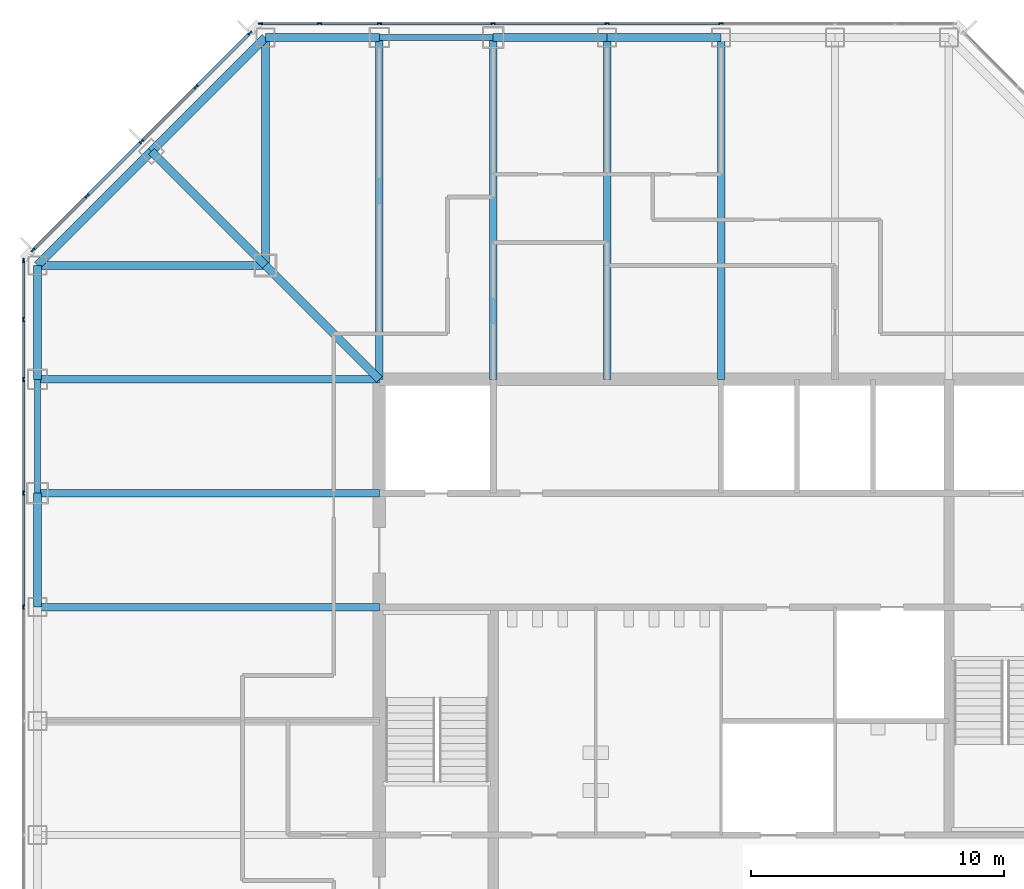
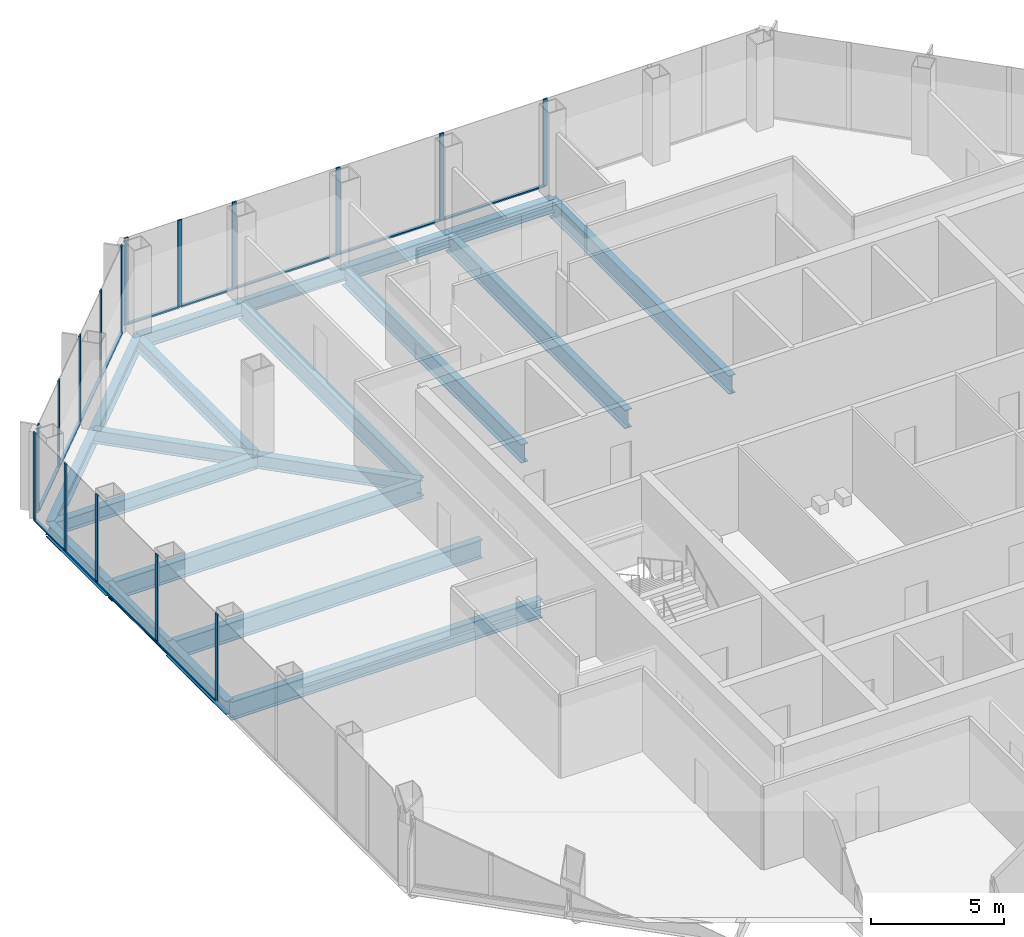
# One storey, part 5 of 13: 29 members, 20 beams, 3 elements without a shape of their own.
"""IFC4 building model written with IfcOpenShell, lengths in metres."""

from ifc_helpers import new_model, si_unit, direction, frame, origin, origin_2d, place, context, subcontext, project, spatial, rectangle, i_section, extrude, material, material_profile, profile_set, type_object, element, aggregate, save


model = new_model("IFC4")

# Units and contexts
model_context = context("Model", 3, precision=1e-05, world=origin(), true_north=direction((0.0, 1.0)))
body_context = subcontext(model_context, "Body", "Model", "MODEL_VIEW")
ifc_project = project(units=[si_unit("LENGTHUNIT", "METRE"), si_unit("AREAUNIT", "SQUARE_METRE"), si_unit("VOLUMEUNIT", "CUBIC_METRE"), si_unit("PLANEANGLEUNIT", "RADIAN"), si_unit("MASSUNIT", "GRAM", prefix="KILO")], contexts=[model_context])

# Site, building, storey
site_placement = place(None, origin())
site = spatial("IfcSite", under=ifc_project, at=site_placement, CompositionType="ELEMENT")
building_placement = place(site_placement, origin())
building = spatial("IfcBuilding", under=site, at=building_placement, Name="Corais Broadcast Tower", CompositionType="ELEMENT")
storey_placement = place(building_placement, frame((0.0, 0.0, 123.60009765625)))
storey = spatial("IfcBuildingStorey", under=building, at=storey_placement, Name="L27", CompositionType="ELEMENT", Elevation=123.60009765625)

# Beams
ifc_material_1 = material(Name="Steel ASTM A572 Grade 50", Category="steel")
ifc_material_profile_1 = material_profile(ifc_material_1, i_section(OverallWidth=0.323974609375, OverallDepth=0.611083984375, WebThickness=0.0126953125, FlangeThickness=0.01904296875, at=origin_2d()), Name="W610x155")
ifc_profile_set_1 = profile_set([ifc_material_profile_1], Name="Steel ASTM A572 Grade 50")
beam_type_1 = type_object("IfcBeamType", Name="Chamfer tie W610x155", PredefinedType="BEAM", material=ifc_profile_set_1)
beam_1_placement = place(storey_placement, frame((4.5, 49.5, -0.465576171875), z_axis=(0.707106781187, -0.707106781187, 0.0), x_axis=(0.707106781187, 0.707106781187, 0.0)))
element("IfcBeam", 1, at=beam_1_placement, inside=storey, type_object=beam_type_1, Name="B5 M/4 to L/5", PredefinedType="BEAM", context=body_context, shape_type="SweptSolid", body=[
    extrude(i_section(OverallWidth=0.323974609375, OverallDepth=0.611083984375, WebThickness=0.0126953125, FlangeThickness=0.01904296875, at=origin_2d()), origin(), (0.0, 0.0, 1.0), 6.364013671875),
])
ifc_material_2 = material(Name="Steel ASTM A572 Grade 50", Category="steel")
ifc_material_profile_2 = material_profile(ifc_material_2, i_section(OverallWidth=0.323974609375, OverallDepth=0.611083984375, WebThickness=0.0126953125, FlangeThickness=0.01904296875, at=origin_2d()), Name="W610x155")
ifc_profile_set_2 = profile_set([ifc_material_profile_2], Name="Steel ASTM A572 Grade 50")
beam_type_2 = type_object("IfcBeamType", Name="Corner diagonal W610x155", PredefinedType="BEAM", material=ifc_profile_set_2)
beam_2_placement = place(storey_placement, frame((9.0, 45.0, -0.465576171875), z_axis=(0.707106781187, -0.707106781187, 0.0), x_axis=(0.707106781187, 0.707106781187, 0.0)))
element("IfcBeam", 2, at=beam_2_placement, inside=storey, type_object=beam_type_2, Name="B6 L/5 to K/6", PredefinedType="BEAM", context=body_context, shape_type="SweptSolid", body=[
    extrude(i_section(OverallWidth=0.323974609375, OverallDepth=0.611083984375, WebThickness=0.0126953125, FlangeThickness=0.01904296875, at=origin_2d()), origin(), (0.0, 0.0, 1.0), 6.364013671875),
])
ifc_material_3 = material(Name="Steel ASTM A572 Grade 50", Category="steel")
ifc_material_profile_3 = material_profile(ifc_material_3, i_section(OverallWidth=0.323974609375, OverallDepth=0.611083984375, WebThickness=0.0126953125, FlangeThickness=0.01904296875, at=origin_2d()), Name="W610x155")
ifc_profile_set_3 = profile_set([ifc_material_profile_3], Name="Steel ASTM A572 Grade 50")
beam_type_3 = type_object("IfcBeamType", Name="Corner girder W610x155", PredefinedType="BEAM", material=ifc_profile_set_3)
for number, where, z_axis, x_axis, name in (
    (3, (0.0, 45.0, -0.465576171875), (1.0, 0.0, 0.0), (0.0, 1.0, 0.0), "B4 L/3 to L/5"),
    (4, (9.0, 54.0, -0.465576171875), (0.0, -1.0, 0.0), (1.0, 0.0, 0.0), "B4 N/5 to L/5"),
):
    element("IfcBeam", number, at=place(storey_placement, frame(where, z_axis=z_axis, x_axis=x_axis)), inside=storey, type_object=beam_type_3, Name=name, PredefinedType="BEAM", context=body_context, shape_type="SweptSolid", body=[
        extrude(i_section(OverallWidth=0.323974609375, OverallDepth=0.611083984375, WebThickness=0.0126953125, FlangeThickness=0.01904296875, at=origin_2d()), origin(), (0.0, 0.0, 1.0), 9.0),
    ])
ifc_material_4 = material(Name="Steel ASTM A572 Grade 50", Category="steel")
ifc_material_profile_4 = material_profile(ifc_material_4, i_section(OverallWidth=0.2939453125, OverallDepth=0.85107421875, WebThickness=0.01611328125, FlangeThickness=0.02685546875, at=origin_2d()), Name="W840x226")
ifc_profile_set_4 = profile_set([ifc_material_profile_4], Name="Steel ASTM A572 Grade 50")
beam_type_4 = type_object("IfcBeamType", Name="Floor beam W840x226", PredefinedType="BEAM", material=ifc_profile_set_4)
for number, where, z_axis, x_axis, name in (
    (5, (0.0, 31.5, -0.585693359375), (1.0, 0.0, 0.0), (0.0, 1.0, 0.0), "B1 H/3 to H/6"),
    (6, (0.0, 36.0, -0.585693359375), (1.0, 0.0, 0.0), (0.0, 1.0, 0.0), "B1 J/3 to J/6"),
    (7, (0.0, 40.5, -0.585693359375), (1.0, 0.0, 0.0), (0.0, 1.0, 0.0), "B1 K/3 to K/6"),
    (8, (13.5, 54.0, -0.585693359375), (0.0, -1.0, 0.0), (1.0, 0.0, 0.0), "B1 N/6 to K/6"),
    (9, (18.0, 54.0, -0.585693359375), (0.0, -1.0, 0.0), (1.0, 0.0, 0.0), "B1 N/7 to K/7"),
    (10, (22.5, 54.0, -0.585693359375), (0.0, -1.0, 0.0), (1.0, 0.0, 0.0), "B1 N/8 to K/8"),
    (11, (27.0, 54.0, -0.585693359375), (0.0, -1.0, 0.0), (1.0, 0.0, 0.0), "B1 N/9 to K/9"),
):
    element("IfcBeam", number, at=place(storey_placement, frame(where, z_axis=z_axis, x_axis=x_axis)), inside=storey, type_object=beam_type_4, Name=name, PredefinedType="BEAM", context=body_context, shape_type="SweptSolid", body=[
        extrude(i_section(OverallWidth=0.2939453125, OverallDepth=0.85107421875, WebThickness=0.01611328125, FlangeThickness=0.02685546875, at=origin_2d()), origin(), (0.0, 0.0, 1.0), 13.5),
    ])

# Curtain wall, members
ifc_material_5 = material(Name="Aluminium and glass", Category="aluminium")
curtain_wall_type = type_object("IfcCurtainWallType", Name="Unitised fritted curtain wall CW2", PredefinedType="NOTDEFINED", material=ifc_material_5)
curtain_wall_1_placement = place(storey_placement, origin())
curtain_wall_1 = element("IfcCurtainWall", 12, at=curtain_wall_1_placement, inside=storey, type_object=curtain_wall_type, Name="CW2 curtain wall L27 2", PredefinedType="NOTDEFINED")
ifc_material_6 = material(Name="Aluminium 6063-T6", Category="aluminium")
ifc_material_profile_5 = material_profile(ifc_material_6, rectangle(XDim=0.06494140625, YDim=0.179931640625, at=origin_2d()), Name="Mullion CW2 65x180")
ifc_profile_set_5 = profile_set([ifc_material_profile_5], Name="Aluminium 6063-T6")
member_type_1 = type_object("IfcMemberType", Name="Mullion CW2 65x180", PredefinedType="MULLION", material=ifc_profile_set_5)
member_1_placement = place(storey_placement, frame((-0.550048828125, 31.5, 0.0), z_axis=(0.0, 0.0, 1.0), x_axis=(-1.0, 0.0, 0.0)))
member_1 = element("IfcMember", 13, at=member_1_placement, type_object=member_type_1, Name="CW2 mullion 5", PredefinedType="MULLION", context=body_context, shape_type="SweptSolid", body=[
    extrude(rectangle(XDim=0.06494140625, YDim=0.179931640625, at=origin_2d()), origin(), (0.0, 0.0, 1.0), 4.0),
])
member_2_placement = place(storey_placement, frame((-0.550048828125, 36.0, 0.0), z_axis=(0.0, 0.0, 1.0), x_axis=(-1.0, 0.0, 0.0)))
member_2 = element("IfcMember", 14, at=member_2_placement, type_object=member_type_1, Name="CW2 mullion 6", PredefinedType="MULLION", context=body_context, shape_type="SweptSolid", body=[
    extrude(rectangle(XDim=0.06494140625, YDim=0.179931640625, at=origin_2d()), origin(), (0.0, 0.0, 1.0), 4.0),
])
member_3_placement = place(storey_placement, frame((-0.550048828125, 40.5, 0.0), z_axis=(0.0, 0.0, 1.0), x_axis=(-1.0, 0.0, 0.0)))
member_3 = element("IfcMember", 15, at=member_3_placement, type_object=member_type_1, Name="CW2 mullion 7", PredefinedType="MULLION", context=body_context, shape_type="SweptSolid", body=[
    extrude(rectangle(XDim=0.06494140625, YDim=0.179931640625, at=origin_2d()), origin(), (0.0, 0.0, 1.0), 4.0),
])
member_4_placement = place(storey_placement, frame((-0.550048828125, 42.864013671875, 0.0), z_axis=(0.0, 0.0, 1.0), x_axis=(-1.0, 0.0, 0.0)))
member_4 = element("IfcMember", 16, at=member_4_placement, type_object=member_type_1, Name="CW2 mullion 8", PredefinedType="MULLION", context=body_context, shape_type="SweptSolid", body=[
    extrude(rectangle(XDim=0.06494140625, YDim=0.179931640625, at=origin_2d()), origin(), (0.0, 0.0, 1.0), 4.0),
])
member_5_placement = place(storey_placement, frame((-0.550048828125, 45.1953125, 0.0), z_axis=(0.0, 0.0, 1.0), x_axis=(-1.0, 0.0, 0.0)))
member_5 = element("IfcMember", 17, at=member_5_placement, type_object=member_type_1, Name="CW2 mullion 9", PredefinedType="MULLION", context=body_context, shape_type="SweptSolid", body=[
    extrude(rectangle(XDim=0.06494140625, YDim=0.179931640625, at=origin_2d()), origin(), (0.0, 0.0, 1.0), 4.0),
])

curtain_wall_2_placement = place(storey_placement, origin())
curtain_wall_2 = element("IfcCurtainWall", 18, at=curtain_wall_2_placement, inside=storey, type_object=curtain_wall_type, Name="CW2 curtain wall L27 3", PredefinedType="NOTDEFINED")
member_6_placement = place(storey_placement, frame((-0.17333984375, 45.6044921875, 0.0), z_axis=(0.0, 0.0, 1.0), x_axis=(-0.707106781187, 0.707106781187, 0.0)))
member_6 = element("IfcMember", 19, at=member_6_placement, type_object=member_type_1, Name="CW2 mullion 1", PredefinedType="MULLION", context=body_context, shape_type="SweptSolid", body=[
    extrude(rectangle(XDim=0.06494140625, YDim=0.179931640625, at=origin_2d()), origin(), (0.0, 0.0, 1.0), 4.0),
])
member_7_placement = place(storey_placement, frame((1.957275390625, 47.735107421875, 0.0), z_axis=(0.0, 0.0, 1.0), x_axis=(-0.707106781187, 0.707106781187, 0.0)))
member_7 = element("IfcMember", 20, at=member_7_placement, type_object=member_type_1, Name="CW2 mullion 2", PredefinedType="MULLION", context=body_context, shape_type="SweptSolid", body=[
    extrude(rectangle(XDim=0.06494140625, YDim=0.179931640625, at=origin_2d()), origin(), (0.0, 0.0, 1.0), 4.0),
])
member_8_placement = place(storey_placement, frame((4.111083984375, 49.888916015625, 0.0), z_axis=(0.0, 0.0, 1.0), x_axis=(-0.707106781187, 0.707106781187, 0.0)))
member_8 = element("IfcMember", 21, at=member_8_placement, type_object=member_type_1, Name="CW2 mullion 3", PredefinedType="MULLION", context=body_context, shape_type="SweptSolid", body=[
    extrude(rectangle(XDim=0.06494140625, YDim=0.179931640625, at=origin_2d()), origin(), (0.0, 0.0, 1.0), 4.0),
])
member_9_placement = place(storey_placement, frame((6.264892578125, 52.042724609375, 0.0), z_axis=(0.0, 0.0, 1.0), x_axis=(-0.707106781187, 0.707106781187, 0.0)))
member_9 = element("IfcMember", 22, at=member_9_placement, type_object=member_type_1, Name="CW2 mullion 4", PredefinedType="MULLION", context=body_context, shape_type="SweptSolid", body=[
    extrude(rectangle(XDim=0.06494140625, YDim=0.179931640625, at=origin_2d()), origin(), (0.0, 0.0, 1.0), 4.0),
])
member_10_placement = place(storey_placement, frame((8.3955078125, 54.17333984375, 0.0), z_axis=(0.0, 0.0, 1.0), x_axis=(-0.707106781187, 0.707106781187, 0.0)))
member_10 = element("IfcMember", 23, at=member_10_placement, type_object=member_type_1, Name="CW2 mullion 5", PredefinedType="MULLION", context=body_context, shape_type="SweptSolid", body=[
    extrude(rectangle(XDim=0.06494140625, YDim=0.179931640625, at=origin_2d()), origin(), (0.0, 0.0, 1.0), 4.0),
])

curtain_wall_3_placement = place(storey_placement, origin())
curtain_wall_3 = element("IfcCurtainWall", 24, at=curtain_wall_3_placement, inside=storey, type_object=curtain_wall_type, Name="CW2 curtain wall L27 4", PredefinedType="NOTDEFINED")
member_11_placement = place(storey_placement, frame((8.8046875, 54.550048828125, 0.0), z_axis=(0.0, 0.0, 1.0), x_axis=(0.0, 1.0, 0.0)))
member_11 = element("IfcMember", 25, at=member_11_placement, type_object=member_type_1, Name="CW2 mullion 1", PredefinedType="MULLION", context=body_context, shape_type="SweptSolid", body=[
    extrude(rectangle(XDim=0.06494140625, YDim=0.179931640625, at=origin_2d()), origin(), (0.0, 0.0, 1.0), 4.0),
])
member_12_placement = place(storey_placement, frame((11.135986328125, 54.550048828125, 0.0), z_axis=(0.0, 0.0, 1.0), x_axis=(0.0, 1.0, 0.0)))
member_12 = element("IfcMember", 26, at=member_12_placement, type_object=member_type_1, Name="CW2 mullion 2", PredefinedType="MULLION", context=body_context, shape_type="SweptSolid", body=[
    extrude(rectangle(XDim=0.06494140625, YDim=0.179931640625, at=origin_2d()), origin(), (0.0, 0.0, 1.0), 4.0),
])
member_13_placement = place(storey_placement, frame((13.5, 54.550048828125, 0.0), z_axis=(0.0, 0.0, 1.0), x_axis=(0.0, 1.0, 0.0)))
member_13 = element("IfcMember", 27, at=member_13_placement, type_object=member_type_1, Name="CW2 mullion 3", PredefinedType="MULLION", context=body_context, shape_type="SweptSolid", body=[
    extrude(rectangle(XDim=0.06494140625, YDim=0.179931640625, at=origin_2d()), origin(), (0.0, 0.0, 1.0), 4.0),
])
member_14_placement = place(storey_placement, frame((18.0, 54.550048828125, 0.0), z_axis=(0.0, 0.0, 1.0), x_axis=(0.0, 1.0, 0.0)))
member_14 = element("IfcMember", 28, at=member_14_placement, type_object=member_type_1, Name="CW2 mullion 4", PredefinedType="MULLION", context=body_context, shape_type="SweptSolid", body=[
    extrude(rectangle(XDim=0.06494140625, YDim=0.179931640625, at=origin_2d()), origin(), (0.0, 0.0, 1.0), 4.0),
])
member_15_placement = place(storey_placement, frame((22.5, 54.550048828125, 0.0), z_axis=(0.0, 0.0, 1.0), x_axis=(0.0, 1.0, 0.0)))
member_15 = element("IfcMember", 29, at=member_15_placement, type_object=member_type_1, Name="CW2 mullion 5", PredefinedType="MULLION", context=body_context, shape_type="SweptSolid", body=[
    extrude(rectangle(XDim=0.06494140625, YDim=0.179931640625, at=origin_2d()), origin(), (0.0, 0.0, 1.0), 4.0),
])
member_16_placement = place(storey_placement, frame((27.0, 54.550048828125, 0.0), z_axis=(0.0, 0.0, 1.0), x_axis=(0.0, 1.0, 0.0)))
member_16 = element("IfcMember", 30, at=member_16_placement, type_object=member_type_1, Name="CW2 mullion 6", PredefinedType="MULLION", context=body_context, shape_type="SweptSolid", body=[
    extrude(rectangle(XDim=0.06494140625, YDim=0.179931640625, at=origin_2d()), origin(), (0.0, 0.0, 1.0), 4.0),
])

# Beams
ifc_material_7 = material(Name="Steel ASTM A572 Grade 50", Category="steel")
ifc_material_profile_6 = material_profile(ifc_material_7, i_section(OverallWidth=0.22900390625, OverallDepth=0.612060546875, WebThickness=0.011962890625, FlangeThickness=0.01953125, at=origin_2d()), Name="W610x125")
ifc_profile_set_6 = profile_set([ifc_material_profile_6], Name="Steel ASTM A572 Grade 50")
beam_type_5 = type_object("IfcBeamType", Name="Pinned spandrel W610x125", PredefinedType="BEAM", material=ifc_profile_set_6)
for number, where, z_axis, x_axis, name in (
    (31, (0.0, 40.5, -0.466064453125), (0.0, -1.0, 0.0), (1.0, 0.0, 0.0), "SB7 K/3 to J/3"),
    (32, (18.0, 54.0, -0.466064453125), (-1.0, 0.0, 0.0), (0.0, -1.0, 0.0), "SB7 N/7 to N/6"),
):
    element("IfcBeam", number, at=place(storey_placement, frame(where, z_axis=z_axis, x_axis=x_axis)), inside=storey, type_object=beam_type_5, Name=name, PredefinedType="BEAM", context=body_context, shape_type="SweptSolid", body=[
        extrude(i_section(OverallWidth=0.22900390625, OverallDepth=0.612060546875, WebThickness=0.011962890625, FlangeThickness=0.01953125, at=origin_2d()), origin(), (0.0, 0.0, 1.0), 4.5),
    ])
ifc_material_8 = material(Name="Steel ASTM A572 Grade 50", Category="steel")
ifc_material_profile_7 = material_profile(ifc_material_8, i_section(OverallWidth=0.3291015625, OverallDepth=0.635009765625, WebThickness=0.017822265625, FlangeThickness=0.031005859375, at=origin_2d()), Name="W610x241")
ifc_profile_set_7 = profile_set([ifc_material_profile_7], Name="Steel ASTM A572 Grade 50")
beam_type_6 = type_object("IfcBeamType", Name="Spandrel W610x241", PredefinedType="BEAM", material=ifc_profile_set_7)
for number, where, z_axis, x_axis, name in (
    (33, (0.0, 36.0, -0.4775390625), (0.0, -1.0, 0.0), (1.0, 0.0, 0.0), "SB1 J/3 to H/3"),
    (34, (0.0, 45.0, -0.4775390625), (0.0, -1.0, 0.0), (1.0, 0.0, 0.0), "SB1 L/3 to K/3"),
    (35, (13.5, 54.0, -0.4775390625), (-1.0, 0.0, 0.0), (0.0, -1.0, 0.0), "SB1 N/6 to N/5"),
    (36, (22.5, 54.0, -0.4775390625), (-1.0, 0.0, 0.0), (0.0, -1.0, 0.0), "SB1 N/8 to N/7"),
    (37, (27.0, 54.0, -0.4775390625), (-1.0, 0.0, 0.0), (0.0, -1.0, 0.0), "SB1 N/9 to N/8"),
):
    element("IfcBeam", number, at=place(storey_placement, frame(where, z_axis=z_axis, x_axis=x_axis)), inside=storey, type_object=beam_type_6, Name=name, PredefinedType="BEAM", context=body_context, shape_type="SweptSolid", body=[
        extrude(i_section(OverallWidth=0.3291015625, OverallDepth=0.635009765625, WebThickness=0.017822265625, FlangeThickness=0.031005859375, at=origin_2d()), origin(), (0.0, 0.0, 1.0), 4.5),
    ])
for number, where, z_axis, x_axis, name in (
    (38, (4.5, 49.5, -0.4775390625), (-0.707106781187, -0.707106781187, 0.0), (0.707106781187, -0.707106781187, 0.0), "SB1 M/4 to L/3"),
    (39, (9.0, 54.0, -0.4775390625), (-0.707106781187, -0.707106781187, 0.0), (0.707106781187, -0.707106781187, 0.0), "SB1 N/5 to M/4"),
):
    element("IfcBeam", number, at=place(storey_placement, frame(where, z_axis=z_axis, x_axis=x_axis)), inside=storey, type_object=beam_type_6, Name=name, PredefinedType="BEAM", context=body_context, shape_type="SweptSolid", body=[
        extrude(i_section(OverallWidth=0.3291015625, OverallDepth=0.635009765625, WebThickness=0.017822265625, FlangeThickness=0.031005859375, at=origin_2d()), origin(), (0.0, 0.0, 1.0), 6.364013671875),
    ])

# Member
ifc_material_9 = material(Name="Aluminium 6063-T6", Category="aluminium")
ifc_material_profile_8 = material_profile(ifc_material_9, rectangle(XDim=0.1298828125, YDim=0.06494140625, at=origin_2d()), Name="Transom CW2 65x130")
ifc_profile_set_8 = profile_set([ifc_material_profile_8], Name="Aluminium 6063-T6")
member_type_2 = type_object("IfcMemberType", Name="Transom CW2 65x130", PredefinedType="USERDEFINED", material=ifc_profile_set_8)
member_17_placement = place(storey_placement, frame((-0.550048828125, 31.532470703125, 0.032470703125), z_axis=(0.0, 1.0, 0.0), x_axis=(-1.0, 0.0, 0.0)))
member_17 = element("IfcMember", 40, at=member_17_placement, type_object=member_type_2, Name="CW2 transom 5.1", ObjectType="TRANSOM", PredefinedType="USERDEFINED", context=body_context, shape_type="SweptSolid", body=[
    extrude(rectangle(XDim=0.1298828125, YDim=0.06494140625, at=origin_2d()), origin(), (0.0, 0.0, 1.0), 4.43505859375),
])

member_18_placement = place(storey_placement, frame((-0.550048828125, 36.032470703125, 0.032470703125), z_axis=(0.0, 1.0, 0.0), x_axis=(-1.0, 0.0, 0.0)))
member_18 = element("IfcMember", 41, at=member_18_placement, type_object=member_type_2, Name="CW2 transom 6.1", ObjectType="TRANSOM", PredefinedType="USERDEFINED", context=body_context, shape_type="SweptSolid", body=[
    extrude(rectangle(XDim=0.1298828125, YDim=0.06494140625, at=origin_2d()), origin(), (0.0, 0.0, 1.0), 4.43505859375),
])

member_19_placement = place(storey_placement, frame((-0.550048828125, 40.532470703125, 0.032470703125), z_axis=(0.0, 1.0, 0.0), x_axis=(-1.0, 0.0, 0.0)))
member_19 = element("IfcMember", 42, at=member_19_placement, type_object=member_type_2, Name="CW2 transom 7.1", ObjectType="TRANSOM", PredefinedType="USERDEFINED", context=body_context, shape_type="SweptSolid", body=[
    extrude(rectangle(XDim=0.1298828125, YDim=0.06494140625, at=origin_2d()), origin(), (0.0, 0.0, 1.0), 2.298828125),
])

member_20_placement = place(storey_placement, frame((-0.550048828125, 42.896484375, 0.032470703125), z_axis=(0.0, 1.0, 0.0), x_axis=(-1.0, 0.0, 0.0)))
member_20 = element("IfcMember", 43, at=member_20_placement, type_object=member_type_2, Name="CW2 transom 8.1", ObjectType="TRANSOM", PredefinedType="USERDEFINED", context=body_context, shape_type="SweptSolid", body=[
    extrude(rectangle(XDim=0.1298828125, YDim=0.06494140625, at=origin_2d()), origin(), (0.0, 0.0, 1.0), 2.266357421875),
])

aggregate(curtain_wall_1, [member_1, member_2, member_3, member_4, member_5, member_17, member_18, member_19, member_20])

member_21_placement = place(storey_placement, frame((-0.150390625, 45.62744140625, 0.032470703125), z_axis=(0.707106781187, 0.707106781187, 0.0), x_axis=(-0.707106781187, 0.707106781187, 0.0)))
member_21 = element("IfcMember", 44, at=member_21_placement, type_object=member_type_2, Name="CW2 transom 1.1", ObjectType="TRANSOM", PredefinedType="USERDEFINED", context=body_context, shape_type="SweptSolid", body=[
    extrude(rectangle(XDim=0.1298828125, YDim=0.06494140625, at=origin_2d()), origin(), (0.0, 0.0, 1.0), 2.9482421875),
])

member_22_placement = place(storey_placement, frame((1.980224609375, 47.758056640625, 0.032470703125), z_axis=(0.707106781187, 0.707106781187, 0.0), x_axis=(-0.707106781187, 0.707106781187, 0.0)))
member_22 = element("IfcMember", 45, at=member_22_placement, type_object=member_type_2, Name="CW2 transom 2.1", ObjectType="TRANSOM", PredefinedType="USERDEFINED", context=body_context, shape_type="SweptSolid", body=[
    extrude(rectangle(XDim=0.1298828125, YDim=0.06494140625, at=origin_2d()), origin(), (0.0, 0.0, 1.0), 2.98095703125),
])

member_23_placement = place(storey_placement, frame((4.134033203125, 49.911865234375, 0.032470703125), z_axis=(0.707106781187, 0.707106781187, 0.0), x_axis=(-0.707106781187, 0.707106781187, 0.0)))
member_23 = element("IfcMember", 46, at=member_23_placement, type_object=member_type_2, Name="CW2 transom 3.1", ObjectType="TRANSOM", PredefinedType="USERDEFINED", context=body_context, shape_type="SweptSolid", body=[
    extrude(rectangle(XDim=0.1298828125, YDim=0.06494140625, at=origin_2d()), origin(), (0.0, 0.0, 1.0), 2.98095703125),
])

member_24_placement = place(storey_placement, frame((6.287841796875, 52.065673828125, 0.032470703125), z_axis=(0.707106781187, 0.707106781187, 0.0), x_axis=(-0.707106781187, 0.707106781187, 0.0)))
member_24 = element("IfcMember", 47, at=member_24_placement, type_object=member_type_2, Name="CW2 transom 4.1", ObjectType="TRANSOM", PredefinedType="USERDEFINED", context=body_context, shape_type="SweptSolid", body=[
    extrude(rectangle(XDim=0.1298828125, YDim=0.06494140625, at=origin_2d()), origin(), (0.0, 0.0, 1.0), 2.9482421875),
])

aggregate(curtain_wall_2, [member_6, member_7, member_8, member_9, member_10, member_21, member_22, member_23, member_24])

member_25_placement = place(storey_placement, frame((8.837158203125, 54.550048828125, 0.032470703125), z_axis=(1.0, 0.0, 0.0), x_axis=(0.0, 1.0, 0.0)))
member_25 = element("IfcMember", 48, at=member_25_placement, type_object=member_type_2, Name="CW2 transom 1.1", ObjectType="TRANSOM", PredefinedType="USERDEFINED", context=body_context, shape_type="SweptSolid", body=[
    extrude(rectangle(XDim=0.1298828125, YDim=0.06494140625, at=origin_2d()), origin(), (0.0, 0.0, 1.0), 2.266357421875),
])

member_26_placement = place(storey_placement, frame((11.168701171875, 54.550048828125, 0.032470703125), z_axis=(1.0, 0.0, 0.0), x_axis=(0.0, 1.0, 0.0)))
member_26 = element("IfcMember", 49, at=member_26_placement, type_object=member_type_2, Name="CW2 transom 2.1", ObjectType="TRANSOM", PredefinedType="USERDEFINED", context=body_context, shape_type="SweptSolid", body=[
    extrude(rectangle(XDim=0.1298828125, YDim=0.06494140625, at=origin_2d()), origin(), (0.0, 0.0, 1.0), 2.298828125),
])

member_27_placement = place(storey_placement, frame((13.532470703125, 54.550048828125, 0.032470703125), z_axis=(1.0, 0.0, 0.0), x_axis=(0.0, 1.0, 0.0)))
member_27 = element("IfcMember", 50, at=member_27_placement, type_object=member_type_2, Name="CW2 transom 3.1", ObjectType="TRANSOM", PredefinedType="USERDEFINED", context=body_context, shape_type="SweptSolid", body=[
    extrude(rectangle(XDim=0.1298828125, YDim=0.06494140625, at=origin_2d()), origin(), (0.0, 0.0, 1.0), 4.43505859375),
])

member_28_placement = place(storey_placement, frame((18.032470703125, 54.550048828125, 0.032470703125), z_axis=(1.0, 0.0, 0.0), x_axis=(0.0, 1.0, 0.0)))
member_28 = element("IfcMember", 51, at=member_28_placement, type_object=member_type_2, Name="CW2 transom 4.1", ObjectType="TRANSOM", PredefinedType="USERDEFINED", context=body_context, shape_type="SweptSolid", body=[
    extrude(rectangle(XDim=0.1298828125, YDim=0.06494140625, at=origin_2d()), origin(), (0.0, 0.0, 1.0), 4.43505859375),
])

member_29_placement = place(storey_placement, frame((22.532470703125, 54.550048828125, 0.032470703125), z_axis=(1.0, 0.0, 0.0), x_axis=(0.0, 1.0, 0.0)))
member_29 = element("IfcMember", 52, at=member_29_placement, type_object=member_type_2, Name="CW2 transom 5.1", ObjectType="TRANSOM", PredefinedType="USERDEFINED", context=body_context, shape_type="SweptSolid", body=[
    extrude(rectangle(XDim=0.1298828125, YDim=0.06494140625, at=origin_2d()), origin(), (0.0, 0.0, 1.0), 4.43505859375),
])

aggregate(curtain_wall_3, [member_11, member_12, member_13, member_14, member_15, member_16, member_25, member_26, member_27, member_28, member_29])

save(model, "model.ifc")
